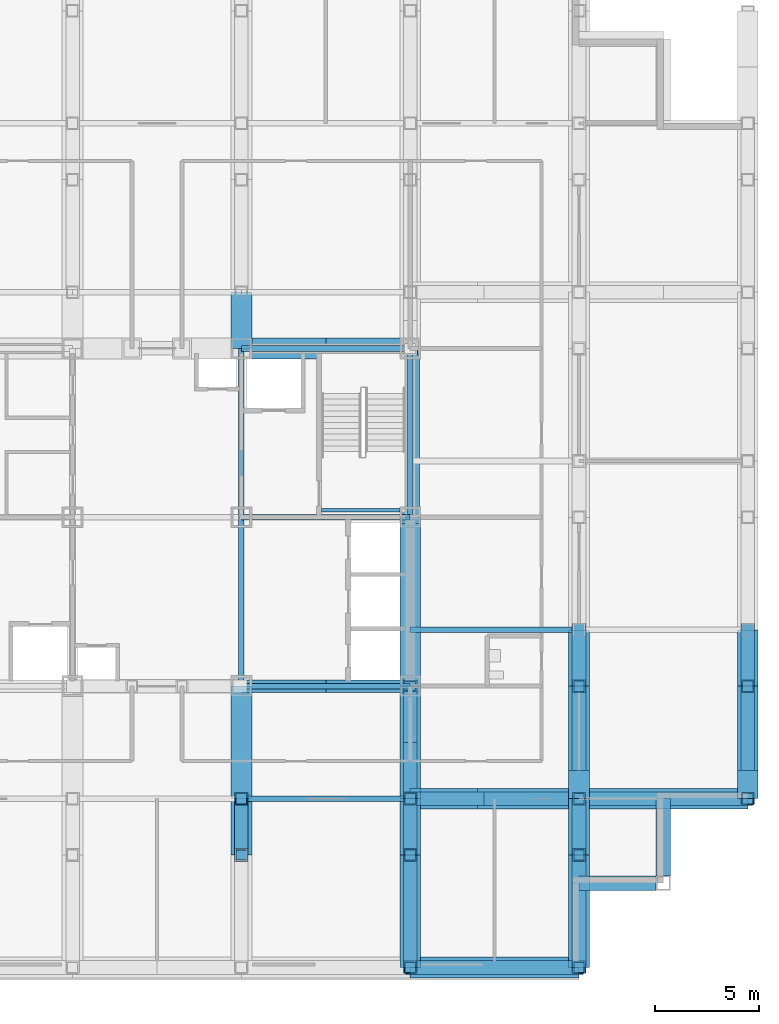
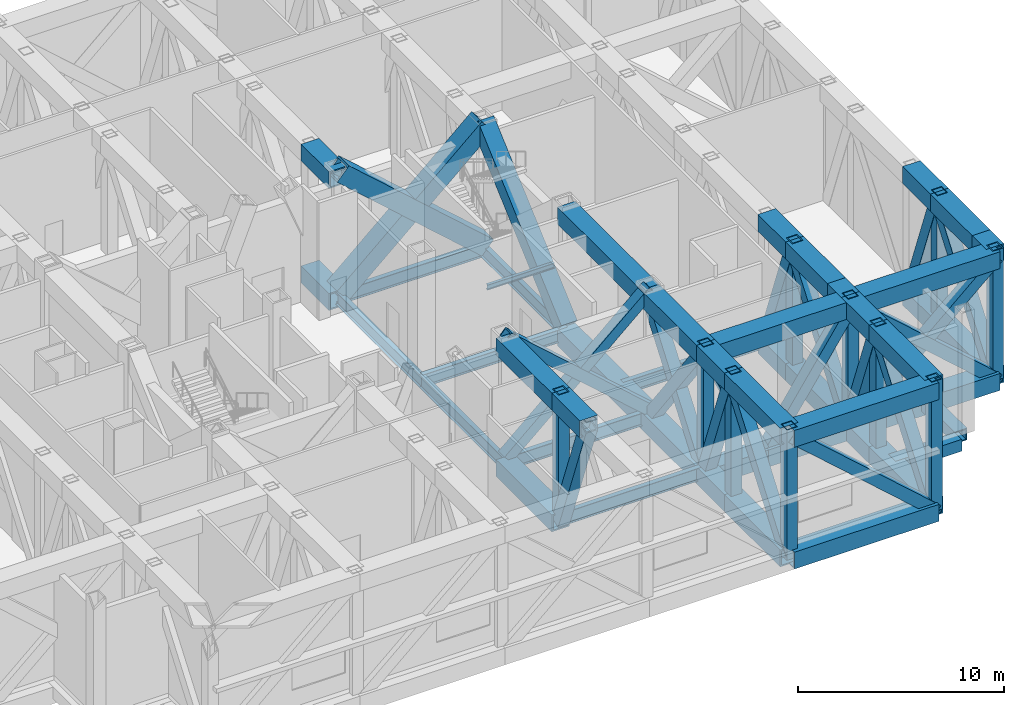
# One storey, part 3 of 13: 65 members, 11 beams.
"""IFC4 building model written with IfcOpenShell, lengths in metres."""

import ifcopenshell
import ifcopenshell.guid

model = None  # the IFC model being written
_history = None  # IfcOwnerHistory: only IFC2X3 demands one
_inside = {}  # id of a spatial element -> (the spatial element, [elements in it])
_under = {}  # id of a project, library or spatial element -> (it, [spatial elements below it])
_declared = {}  # id of a project -> (the project, [libraries it declares])
_typed = {}  # id of a type object -> (the type object, [elements of that type])
_made_of = {}  # id of a material, layer set ... -> (it, [elements and type objects made of it])


def new_model(schema):
    """Start an empty IFC model of exactly this schema.

    Asked for "IFC4X3", IfcOpenShell would pick the latest addendum, in which some entities
    have other attributes; the version numbers below select the first issue.
    IFC2X3 requires an IfcOwnerHistory on every rooted entity: one is made here for all.
    """
    global model, _history
    if schema == "IFC4X3":
        model = ifcopenshell.file(schema_version=(4, 3, 0, 0))
    else:
        model = ifcopenshell.file(schema=schema)
    _inside.clear()
    _under.clear()
    _declared.clear()
    _typed.clear()
    _made_of.clear()
    _history = None
    if model.schema == "IFC2X3":
        org = make("IfcOrganization", Name="unknown")
        user = make(
            "IfcPersonAndOrganization",
            ThePerson=make("IfcPerson", FamilyName="unknown"),
            TheOrganization=org,
        )
        app = make(
            "IfcApplication",
            ApplicationDeveloper=org,
            Version="unknown",
            ApplicationFullName="unknown",
            ApplicationIdentifier="unknown",
        )
        _history = make(
            "IfcOwnerHistory",
            OwningUser=user,
            OwningApplication=app,
            ChangeAction="ADDED",
            CreationDate=0,
        )
    return model


def make(cls, **values):
    """One entity of the class cls with the attributes given. An attribute that is None is left unset."""
    return model.create_entity(
        cls, **{name: value for name, value in values.items() if value is not None}
    )


def rooted(cls, **values):
    """An entity with a GlobalId (a new one), such as an element, a storey or a relation."""
    return make(cls, GlobalId=ifcopenshell.guid.new(), OwnerHistory=_history, **values)


def si_unit(unit_type, name, prefix=None):
    """IfcSIUnit, for example si_unit("LENGTHUNIT", "METRE", prefix="MILLI")."""
    return make("IfcSIUnit", UnitType=unit_type, Prefix=prefix, Name=name)


def assignment(units):
    """IfcUnitAssignment: the units of a project."""
    return None if units is None else make("IfcUnitAssignment", Units=units)


def point(xyz):
    """IfcCartesianPoint."""
    return None if xyz is None else make("IfcCartesianPoint", Coordinates=xyz)


def direction(xyz):
    """IfcDirection."""
    return None if xyz is None else make("IfcDirection", DirectionRatios=xyz)


def frame(location, z_axis=None, x_axis=None):
    """IfcAxis2Placement3D, a coordinate frame: its origin and axes. An axis left out is left unset."""
    return make(
        "IfcAxis2Placement3D",
        Location=point(location),
        Axis=direction(z_axis),
        RefDirection=direction(x_axis),
    )


def frame_2d(location, x_axis=None):
    """IfcAxis2Placement2D, a coordinate frame in the plane: its origin and x axis."""
    return make(
        "IfcAxis2Placement2D", Location=point(location), RefDirection=direction(x_axis)
    )


def origin():
    """The frame at (0, 0, 0) with its axes left unset."""
    return frame((0.0, 0.0, 0.0))


def origin_2d():
    """The frame at (0, 0) in the plane with its x axis left unset."""
    return frame_2d((0.0, 0.0))


def place(relative_to, where):
    """IfcLocalPlacement: puts the frame where relative to a parent placement (None: the world)."""
    return make(
        "IfcLocalPlacement", PlacementRelTo=relative_to, RelativePlacement=where
    )


def context(
    kind, dimensions, precision=None, world=None, true_north=None, identifier=None
):
    """IfcGeometricRepresentationContext, for example the 3D "Model" context."""
    return make(
        "IfcGeometricRepresentationContext",
        ContextIdentifier=identifier,
        ContextType=kind,
        CoordinateSpaceDimension=dimensions,
        Precision=precision,
        WorldCoordinateSystem=world,
        TrueNorth=true_north,
    )


def subcontext(parent, identifier, kind, view, scale=None):
    """IfcGeometricRepresentationSubContext, for example "Body" below "Model"."""
    return make(
        "IfcGeometricRepresentationSubContext",
        ContextIdentifier=identifier,
        ContextType=kind,
        ParentContext=parent,
        TargetScale=scale,
        TargetView=view,
    )


def project(units=None, contexts=None):
    """IfcProject with its units and contexts."""
    return rooted(
        "IfcProject",
        Name="project",
        RepresentationContexts=contexts,
        UnitsInContext=assignment(units),
    )


def spatial(cls, under=None, at=None, **own):
    """A site, building, storey or space (cls), placed at a placement, below another one or the project."""
    s = rooted(cls, ObjectPlacement=at, **own)
    if under is not None:
        _under.setdefault(under.id(), (under, []))[1].append(s)
    return s


def profile(cls, at=None, kind="AREA", **sizes):
    """A parametric profile (cls). Its sizes go by their IFC names, for example OverallWidth=200.0."""
    return make(cls, ProfileType=kind, Position=at, **sizes)


def hollow_rectangle(**sizes):
    """IfcRectangleHollowProfileDef."""
    return profile("IfcRectangleHollowProfileDef", **sizes)


def i_section(**sizes):
    """IfcIShapeProfileDef."""
    return profile("IfcIShapeProfileDef", **sizes)


def extrude(swept, where, along, depth):
    """IfcExtrudedAreaSolid: the profile swept, set in the frame where, extruded along a direction by depth."""
    return make(
        "IfcExtrudedAreaSolid",
        SweptArea=swept,
        Position=where,
        ExtrudedDirection=direction(along),
        Depth=depth,
    )


def shape(context_of_items, identifier, shape_type, items):
    """IfcShapeRepresentation: the items that make up one representation, for example the "Body"."""
    return make(
        "IfcShapeRepresentation",
        ContextOfItems=context_of_items,
        RepresentationIdentifier=identifier,
        RepresentationType=shape_type,
        Items=items,
    )


def material(Name=None, Category=None):
    """IfcMaterial."""
    return make("IfcMaterial", Name=Name, Category=Category)


def material_profile(
    of_material, cross_section, Name=None, Category=None, Priority=None
):
    """IfcMaterialProfile: a cross section and its material."""
    return make(
        "IfcMaterialProfile",
        Name=Name,
        Material=of_material,
        Profile=cross_section,
        Priority=Priority,
        Category=Category,
    )


def profile_set(profiles, Name=None, composite=None):
    """IfcMaterialProfileSet."""
    return make(
        "IfcMaterialProfileSet",
        Name=Name,
        MaterialProfiles=profiles,
        CompositeProfile=composite,
    )


def made_of(thing, what):
    """Note that an element or type object is made of a material, layer set ...; save() writes the relation."""
    if what is not None:
        _made_of.setdefault(what.id(), (what, []))[1].append(thing)
    return thing


def type_object(cls, material=None, **own):
    """A type object (cls), such as IfcWallType, which elements share."""
    return made_of(rooted(cls, **own), material)


def element(
    cls,
    number,
    at=None,
    inside=None,
    cuts=None,
    type_object=None,
    material=None,
    context=None,
    identifier="Body",
    shape_type=None,
    held_by="IfcProductDefinitionShape",
    body=None,
    shapes=None,
    **own,
):
    """One element of the class cls, such as IfcWall. Its Tag is "e" and its number.

    at: its placement. inside: the storey or other place that contains it. cuts: it is an
    opening in that element (IfcRelVoidsElement). A single representation is given by context,
    identifier, shape_type and body (its items); several are given by shapes. held_by: the class
    of the entity that holds the representations. save() writes the other relations.
    """
    e = rooted(cls, Tag="e%d" % number, ObjectPlacement=at, **own)
    if body is not None:
        shapes = [shape(context, identifier, shape_type, body)]
    if shapes is not None:
        e.Representation = make(held_by, Representations=shapes)
    if inside is not None:
        _inside.setdefault(inside.id(), (inside, []))[1].append(e)
    if cuts is not None:
        rooted(
            "IfcRelVoidsElement", RelatingBuildingElement=cuts, RelatedOpeningElement=e
        )
    if type_object is not None:
        _typed.setdefault(type_object.id(), (type_object, []))[1].append(e)
    return made_of(e, material)


def aggregate(whole, parts):
    """IfcRelAggregates: a whole, such as a stair, and the parts it consists of."""
    return rooted("IfcRelAggregates", RelatingObject=whole, RelatedObjects=parts)


def save(model, path):
    """Write the relations noted so far, then the file.

    IfcRelAggregates (storeys below a building ...), IfcRelContainedInSpatialStructure (elements
    in a storey), IfcRelDefinesByType, IfcRelAssociatesMaterial and IfcRelDeclares: one each for
    every whole, place, type object, material and project.
    """
    for whole, parts in _under.values():
        aggregate(whole, parts)
    for where, things in _inside.values():
        rooted(
            "IfcRelContainedInSpatialStructure",
            RelatedElements=things,
            RelatingStructure=where,
        )
    for kind, things in _typed.values():
        rooted("IfcRelDefinesByType", RelatedObjects=things, RelatingType=kind)
    for what, things in _made_of.values():
        rooted("IfcRelAssociatesMaterial", RelatedObjects=things, RelatingMaterial=what)
    for by, libraries in _declared.values():
        rooted("IfcRelDeclares", RelatingContext=by, RelatedDefinitions=libraries)
    model.write(path)


model = new_model("IFC4")

# Units and contexts
model_context = context("Model", 3, precision=1e-05, world=origin(), true_north=direction((0.0, 1.0)))
body_context = subcontext(model_context, "Body", "Model", "MODEL_VIEW")
ifc_project = project(units=[si_unit("LENGTHUNIT", "METRE"), si_unit("AREAUNIT", "SQUARE_METRE"), si_unit("VOLUMEUNIT", "CUBIC_METRE"), si_unit("PLANEANGLEUNIT", "RADIAN"), si_unit("MASSUNIT", "GRAM", prefix="KILO")], contexts=[model_context])

# Site, building, storey
site_placement = place(None, origin())
site = spatial("IfcSite", under=ifc_project, at=site_placement, CompositionType="ELEMENT")
building_placement = place(site_placement, origin())
building = spatial("IfcBuilding", under=site, at=building_placement, Name="Kopane Lantern Tower", CompositionType="ELEMENT")
storey_placement = place(building_placement, frame((0.0, 0.0, 235.199951171875)))
storey = spatial("IfcBuildingStorey", under=building, at=storey_placement, Name="L61", CompositionType="ELEMENT", Elevation=235.199951171875)

# Members
ifc_material_1 = material(Name="Steel S355JR", Category="steel")
ifc_material_profile_1 = material_profile(ifc_material_1, hollow_rectangle(XDim=1.0, YDim=1.0, WallThickness=0.10009765625, at=origin_2d()), Name="BOX 1000x1000x100")
ifc_profile_set_1 = profile_set([ifc_material_profile_1], Name="Steel S355JR")
member_type_1 = type_object("IfcMemberType", Name="BRACE BOX 1000x1000x100", PredefinedType="BRACE", material=ifc_profile_set_1)
for number, where, z_axis, x_axis, name in (
    (1, (32.39990234375, 40.5, -0.25), (0.747415533118, 0.0, 0.664356847525), (0.0, 1.0, 0.0), "Core brace L61"),
    (2, (40.5, 40.5, -0.25), (-0.747415533118, 0.0, 0.664356847525), (0.0, -1.0, 0.0), "Core brace L61"),
):
    element("IfcMember", number, at=place(storey_placement, frame(where, z_axis=z_axis, x_axis=x_axis)), inside=storey, type_object=member_type_1, Name=name, PredefinedType="BRACE", context=body_context, shape_type="SweptSolid", body=[
        extrude(hollow_rectangle(XDim=1.0, YDim=1.0, WallThickness=0.10009765625, at=origin_2d()), origin(), (0.0, 0.0, 1.0), 10.83740234375),
    ])
ifc_material_2 = material(Name="Steel S355JR", Category="steel")
ifc_material_profile_2 = material_profile(ifc_material_2, hollow_rectangle(XDim=0.60009765625, YDim=0.60009765625, WallThickness=0.06005859375, at=origin_2d()), Name="BOX 600x600x60")
ifc_profile_set_2 = profile_set([ifc_material_profile_2], Name="Steel S355JR")
member_type_2 = type_object("IfcMemberType", Name="BRACE BOX 600x600x60", PredefinedType="BRACE", material=ifc_profile_set_2)
for number, where, z_axis, x_axis, name in (
    (3, (32.39990234375, 24.300048828125, -0.25), (0.747415533118, 0.0, 0.664356847525), (0.0, 1.0, 0.0), "Core brace L61"),
    (4, (40.5, 24.300048828125, -0.25), (-0.747415533118, 0.0, 0.664356847525), (0.0, -1.0, 0.0), "Core brace L61"),
):
    element("IfcMember", number, at=place(storey_placement, frame(where, z_axis=z_axis, x_axis=x_axis)), inside=storey, type_object=member_type_2, Name=name, PredefinedType="BRACE", context=body_context, shape_type="SweptSolid", body=[
        extrude(hollow_rectangle(XDim=0.60009765625, YDim=0.60009765625, WallThickness=0.06005859375, at=origin_2d()), origin(), (0.0, 0.0, 1.0), 10.83740234375),
    ])
ifc_material_3 = material(Name="Steel S355JR", Category="steel")
ifc_material_profile_3 = material_profile(ifc_material_3, hollow_rectangle(XDim=0.89990234375, YDim=0.89990234375, WallThickness=0.090087890625, at=origin_2d()), Name="BOX 900x900x90")
ifc_profile_set_3 = profile_set([ifc_material_profile_3], Name="Steel S355JR")
member_type_3 = type_object("IfcMemberType", Name="BRACE BOX 900x900x90", PredefinedType="BRACE", material=ifc_profile_set_3)
member_1_placement = place(storey_placement, frame((40.5, 32.39990234375, -0.25), z_axis=(0.0, 0.747415533118, 0.664356847525), x_axis=(-1.0, 0.0, 0.0)))
element("IfcMember", 5, at=member_1_placement, inside=storey, type_object=member_type_3, Name="Core brace L61", PredefinedType="BRACE", context=body_context, shape_type="SweptSolid", body=[
    extrude(hollow_rectangle(XDim=0.89990234375, YDim=0.89990234375, WallThickness=0.090087890625, at=origin_2d()), origin(), (0.0, 0.0, 1.0), 10.83740234375),
])

# Beams
ifc_material_4 = material(Name="Steel S355JR", Category="steel")
ifc_material_profile_4 = material_profile(ifc_material_4, i_section(OverallWidth=0.2666015625, OverallDepth=0.76220703125, WebThickness=0.014404296875, FlangeThickness=0.021484375, FilletRadius=0.0166015625, at=origin_2d()), Name="UB 762x267x173")
ifc_profile_set_4 = profile_set([ifc_material_profile_4], Name="Steel S355JR")
beam_type_1 = type_object("IfcBeamType", Name="CORE BEAM UB 762x267x173", PredefinedType="BEAM", material=ifc_profile_set_4)
beam_1_placement = place(storey_placement, frame((32.39990234375, 24.300048828125, -0.631103515625), z_axis=(0.0, 1.0, 0.0), x_axis=(-1.0, 0.0, 0.0)))
element("IfcBeam", 6, at=beam_1_placement, inside=storey, type_object=beam_type_1, Name="Core Beam L61", PredefinedType="BEAM", context=body_context, shape_type="SweptSolid", body=[
    extrude(i_section(OverallWidth=0.2666015625, OverallDepth=0.76220703125, WebThickness=0.014404296875, FlangeThickness=0.021484375, FilletRadius=0.0166015625, at=origin_2d()), origin(), (0.0, 0.0, 1.0), 8.099853515625),
])
for number, where, z_axis, x_axis, name in (
    (7, (32.39990234375, 32.39990234375, -0.631103515625), (0.0, 1.0, 0.0), (-1.0, 0.0, 0.0), "Core Beam L61"),
    (8, (32.39990234375, 32.39990234375, -0.631103515625), (1.0, 0.0, 0.0), (0.0, 1.0, 0.0), "Core Beam L61"),
):
    element("IfcBeam", number, at=place(storey_placement, frame(where, z_axis=z_axis, x_axis=x_axis)), inside=storey, type_object=beam_type_1, Name=name, PredefinedType="BEAM", context=body_context, shape_type="SweptSolid", body=[
        extrude(i_section(OverallWidth=0.2666015625, OverallDepth=0.76220703125, WebThickness=0.014404296875, FlangeThickness=0.021484375, FilletRadius=0.0166015625, at=origin_2d()), origin(), (0.0, 0.0, 1.0), 8.10009765625),
    ])
ifc_material_5 = material(Name="Steel S355JR", Category="steel")
ifc_material_profile_5 = material_profile(ifc_material_5, hollow_rectangle(XDim=0.699951171875, YDim=0.699951171875, WallThickness=0.06005859375, at=origin_2d()), Name="BOX 700x700x60")
ifc_profile_set_5 = profile_set([ifc_material_profile_5], Name="Steel S355JR")
beam_type_2 = type_object("IfcBeamType", Name="EDGE BEAM BOX 700x700x60", PredefinedType="BEAM", material=ifc_profile_set_5)
for number, where, z_axis, x_axis, name in (
    (9, (52.300048828125, 14.85009765625, -0.599853515625), (-1.0, 0.0, 0.0), (0.0, -1.0, 0.0), "Edge Beam L61"),
    (10, (52.64990234375, 15.199951171875, -0.599853515625), (0.0, 1.0, 0.0), (-1.0, 0.0, 0.0), "Edge Beam L61"),
):
    element("IfcBeam", number, at=place(storey_placement, frame(where, z_axis=z_axis, x_axis=x_axis)), inside=storey, type_object=beam_type_2, Name=name, PredefinedType="BEAM", context=body_context, shape_type="SweptSolid", body=[
        extrude(hollow_rectangle(XDim=0.699951171875, YDim=0.699951171875, WallThickness=0.06005859375, at=origin_2d()), origin(), (0.0, 0.0, 1.0), 3.699951171875),
    ])
ifc_material_6 = material(Name="Steel S355JR", Category="steel")
ifc_material_profile_6 = material_profile(ifc_material_6, i_section(OverallWidth=0.2666015625, OverallDepth=0.76220703125, WebThickness=0.014404296875, FlangeThickness=0.021484375, FilletRadius=0.0166015625, at=origin_2d()), Name="UB 762x267x173")
ifc_profile_set_6 = profile_set([ifc_material_profile_6], Name="Steel S355JR")
beam_type_3 = type_object("IfcBeamType", Name="GIRDER UB 762x267x173", PredefinedType="BEAM", material=ifc_profile_set_6)
for number, where, z_axis, x_axis, name in (
    (11, (32.39990234375, 18.89990234375, -0.631103515625), (1.0, 0.0, 0.0), (0.0, 1.0, 0.0), "Girder L61"),
    (12, (32.39990234375, 24.300048828125, -0.631103515625), (1.0, 0.0, 0.0), (0.0, 1.0, 0.0), "Girder L61"),
    (13, (32.39990234375, 40.5, -0.631103515625), (1.0, 0.0, 0.0), (0.0, 1.0, 0.0), "Girder L61"),
    (14, (40.5, 27.0, -0.631103515625), (1.0, 0.0, 0.0), (0.0, 1.0, 0.0), "Girder L61"),
    (15, (40.5, 32.39990234375, -0.631103515625), (0.0, 1.0, 0.0), (-1.0, 0.0, 0.0), "Girder L61"),
):
    element("IfcBeam", number, at=place(storey_placement, frame(where, z_axis=z_axis, x_axis=x_axis)), inside=storey, type_object=beam_type_3, Name=name, PredefinedType="BEAM", context=body_context, shape_type="SweptSolid", body=[
        extrude(i_section(OverallWidth=0.2666015625, OverallDepth=0.76220703125, WebThickness=0.014404296875, FlangeThickness=0.021484375, FilletRadius=0.0166015625, at=origin_2d()), origin(), (0.0, 0.0, 1.0), 8.10009765625),
    ])
ifc_material_7 = material(Name="Steel S355JR", Category="steel")
ifc_material_profile_7 = material_profile(ifc_material_7, i_section(OverallWidth=0.1650390625, OverallDepth=0.303466796875, WebThickness=0.006103515625, FlangeThickness=0.01025390625, FilletRadius=0.0087890625, at=origin_2d()), Name="UB 305x165x40")
ifc_profile_set_7 = profile_set([ifc_material_profile_7], Name="Steel S355JR")
beam_type_4 = type_object("IfcBeamType", Name="STAIR LANDING BEAM UB 305x165x40", PredefinedType="BEAM", material=ifc_profile_set_7)
beam_2_placement = place(storey_placement, frame((40.0, 32.732421875, 3.33203125), z_axis=(-1.0, 0.0, 0.0), x_axis=(0.0, -1.0, 0.0)))
element("IfcBeam", 16, at=beam_2_placement, inside=storey, type_object=beam_type_4, Name="Stair landing beam ST2 L61", PredefinedType="BEAM", context=body_context, shape_type="SweptSolid", body=[
    extrude(i_section(OverallWidth=0.1650390625, OverallDepth=0.303466796875, WebThickness=0.006103515625, FlangeThickness=0.01025390625, FilletRadius=0.0087890625, at=origin_2d()), origin(), (0.0, 0.0, 1.0), 3.75),
])

# Members
ifc_material_8 = material(Name="Steel S355JR", Category="steel")
ifc_material_profile_8 = material_profile(ifc_material_8, hollow_rectangle(XDim=1.0, YDim=1.0, WallThickness=0.080078125, at=origin_2d()), Name="BOX 1000x1000x80")
ifc_profile_set_8 = profile_set([ifc_material_profile_8], Name="Steel S355JR")
member_type_4 = type_object("IfcMemberType", Name="TRUSS CHORD BOX 1000x1000x80", PredefinedType="CHORD", material=ifc_profile_set_8)
member_2_placement = place(storey_placement, frame((32.39990234375, 18.89990234375, -0.75), z_axis=(0.0, 1.0, 0.0), x_axis=(-1.0, 0.0, 0.0)))
element("IfcMember", 17, at=member_2_placement, inside=storey, type_object=member_type_4, Name="Transfer truss 6 L61 truss chord", PredefinedType="CHORD", context=body_context, shape_type="SweptSolid", body=[
    extrude(hollow_rectangle(XDim=1.0, YDim=1.0, WallThickness=0.080078125, at=origin_2d()), origin(), (0.0, 0.0, 1.0), 5.400146484375),
])
for number, where, z_axis, x_axis, name in (
    (18, (32.39990234375, 40.5, -0.75), (0.0, 1.0, 0.0), (-1.0, 0.0, 0.0), "Transfer truss 6 L61 truss chord"),
    (19, (32.39990234375, 16.199951171875, 6.449951171875), (0.0, 1.0, 0.0), (-1.0, 0.0, 0.0), "Transfer truss 6 L61 truss chord"),
):
    element("IfcMember", number, at=place(storey_placement, frame(where, z_axis=z_axis, x_axis=x_axis)), inside=storey, type_object=member_type_4, Name=name, PredefinedType="CHORD", context=body_context, shape_type="SweptSolid", body=[
        extrude(hollow_rectangle(XDim=1.0, YDim=1.0, WallThickness=0.080078125, at=origin_2d()), origin(), (0.0, 0.0, 1.0), 2.699951171875),
    ])
member_3_placement = place(storey_placement, frame((32.39990234375, 18.89990234375, 6.449951171875), z_axis=(0.0, 1.0, 0.0), x_axis=(-1.0, 0.0, 0.0)))
element("IfcMember", 20, at=member_3_placement, inside=storey, type_object=member_type_4, Name="Transfer truss 6 L61 truss chord", PredefinedType="CHORD", context=body_context, shape_type="SweptSolid", body=[
    extrude(hollow_rectangle(XDim=1.0, YDim=1.0, WallThickness=0.080078125, at=origin_2d()), origin(), (0.0, 0.0, 1.0), 5.400146484375),
])
member_4_placement = place(storey_placement, frame((32.39990234375, 40.5, 6.449951171875), z_axis=(0.0, 1.0, 0.0), x_axis=(-1.0, 0.0, 0.0)))
element("IfcMember", 21, at=member_4_placement, inside=storey, type_object=member_type_4, Name="Transfer truss 6 L61 truss chord", PredefinedType="CHORD", context=body_context, shape_type="SweptSolid", body=[
    extrude(hollow_rectangle(XDim=1.0, YDim=1.0, WallThickness=0.080078125, at=origin_2d()), origin(), (0.0, 0.0, 1.0), 2.699951171875),
])
member_5_placement = place(storey_placement, frame((40.5, 10.800048828125, -0.75), z_axis=(0.0, 1.0, 0.0), x_axis=(-1.0, 0.0, 0.0)))
element("IfcMember", 22, at=member_5_placement, inside=storey, type_object=member_type_4, Name="Transfer truss 7 L61 truss chord", PredefinedType="CHORD", context=body_context, shape_type="SweptSolid", body=[
    extrude(hollow_rectangle(XDim=1.0, YDim=1.0, WallThickness=0.080078125, at=origin_2d()), origin(), (0.0, 0.0, 1.0), 5.39990234375),
])
member_6_placement = place(storey_placement, frame((40.5, 16.199951171875, -0.75), z_axis=(0.0, 1.0, 0.0), x_axis=(-1.0, 0.0, 0.0)))
element("IfcMember", 23, at=member_6_placement, inside=storey, type_object=member_type_4, Name="Transfer truss 7 L61 truss chord", PredefinedType="CHORD", context=body_context, shape_type="SweptSolid", body=[
    extrude(hollow_rectangle(XDim=1.0, YDim=1.0, WallThickness=0.080078125, at=origin_2d()), origin(), (0.0, 0.0, 1.0), 2.699951171875),
])
member_7_placement = place(storey_placement, frame((40.5, 18.89990234375, -0.75), z_axis=(0.0, 1.0, 0.0), x_axis=(-1.0, 0.0, 0.0)))
element("IfcMember", 24, at=member_7_placement, inside=storey, type_object=member_type_4, Name="Transfer truss 7 L61 truss chord", PredefinedType="CHORD", context=body_context, shape_type="SweptSolid", body=[
    extrude(hollow_rectangle(XDim=1.0, YDim=1.0, WallThickness=0.080078125, at=origin_2d()), origin(), (0.0, 0.0, 1.0), 5.400146484375),
])
member_8_placement = place(storey_placement, frame((40.5, 24.300048828125, -0.75), z_axis=(0.0, 1.0, 0.0), x_axis=(-1.0, 0.0, 0.0)))
element("IfcMember", 25, at=member_8_placement, inside=storey, type_object=member_type_4, Name="Transfer truss 7 L61 truss chord", PredefinedType="CHORD", context=body_context, shape_type="SweptSolid", body=[
    extrude(hollow_rectangle(XDim=1.0, YDim=1.0, WallThickness=0.080078125, at=origin_2d()), origin(), (0.0, 0.0, 1.0), 8.099853515625),
])
member_9_placement = place(storey_placement, frame((40.5, 10.800048828125, 6.449951171875), z_axis=(0.0, 1.0, 0.0), x_axis=(-1.0, 0.0, 0.0)))
element("IfcMember", 26, at=member_9_placement, inside=storey, type_object=member_type_4, Name="Transfer truss 7 L61 truss chord", PredefinedType="CHORD", context=body_context, shape_type="SweptSolid", body=[
    extrude(hollow_rectangle(XDim=1.0, YDim=1.0, WallThickness=0.080078125, at=origin_2d()), origin(), (0.0, 0.0, 1.0), 5.39990234375),
])
member_10_placement = place(storey_placement, frame((40.5, 16.199951171875, 6.449951171875), z_axis=(0.0, 1.0, 0.0), x_axis=(-1.0, 0.0, 0.0)))
element("IfcMember", 27, at=member_10_placement, inside=storey, type_object=member_type_4, Name="Transfer truss 7 L61 truss chord", PredefinedType="CHORD", context=body_context, shape_type="SweptSolid", body=[
    extrude(hollow_rectangle(XDim=1.0, YDim=1.0, WallThickness=0.080078125, at=origin_2d()), origin(), (0.0, 0.0, 1.0), 2.699951171875),
])
member_11_placement = place(storey_placement, frame((40.5, 18.89990234375, 6.449951171875), z_axis=(0.0, 1.0, 0.0), x_axis=(-1.0, 0.0, 0.0)))
element("IfcMember", 28, at=member_11_placement, inside=storey, type_object=member_type_4, Name="Transfer truss 7 L61 truss chord", PredefinedType="CHORD", context=body_context, shape_type="SweptSolid", body=[
    extrude(hollow_rectangle(XDim=1.0, YDim=1.0, WallThickness=0.080078125, at=origin_2d()), origin(), (0.0, 0.0, 1.0), 5.400146484375),
])
member_12_placement = place(storey_placement, frame((40.5, 24.300048828125, 6.449951171875), z_axis=(0.0, 1.0, 0.0), x_axis=(-1.0, 0.0, 0.0)))
element("IfcMember", 29, at=member_12_placement, inside=storey, type_object=member_type_4, Name="Transfer truss 7 L61 truss chord", PredefinedType="CHORD", context=body_context, shape_type="SweptSolid", body=[
    extrude(hollow_rectangle(XDim=1.0, YDim=1.0, WallThickness=0.080078125, at=origin_2d()), origin(), (0.0, 0.0, 1.0), 8.099853515625),
])
member_13_placement = place(storey_placement, frame((48.60009765625, 10.800048828125, -0.75), z_axis=(0.0, 1.0, 0.0), x_axis=(-1.0, 0.0, 0.0)))
element("IfcMember", 30, at=member_13_placement, inside=storey, type_object=member_type_4, Name="Transfer truss 8 L61 truss chord", PredefinedType="CHORD", context=body_context, shape_type="SweptSolid", body=[
    extrude(hollow_rectangle(XDim=1.0, YDim=1.0, WallThickness=0.080078125, at=origin_2d()), origin(), (0.0, 0.0, 1.0), 5.39990234375),
])
member_14_placement = place(storey_placement, frame((48.60009765625, 16.199951171875, -0.75), z_axis=(0.0, 1.0, 0.0), x_axis=(-1.0, 0.0, 0.0)))
element("IfcMember", 31, at=member_14_placement, inside=storey, type_object=member_type_4, Name="Transfer truss 8 L61 truss chord", PredefinedType="CHORD", context=body_context, shape_type="SweptSolid", body=[
    extrude(hollow_rectangle(XDim=1.0, YDim=1.0, WallThickness=0.080078125, at=origin_2d()), origin(), (0.0, 0.0, 1.0), 2.699951171875),
])
member_15_placement = place(storey_placement, frame((48.60009765625, 18.89990234375, -0.75), z_axis=(0.0, 1.0, 0.0), x_axis=(-1.0, 0.0, 0.0)))
element("IfcMember", 32, at=member_15_placement, inside=storey, type_object=member_type_4, Name="Transfer truss 8 L61 truss chord", PredefinedType="CHORD", context=body_context, shape_type="SweptSolid", body=[
    extrude(hollow_rectangle(XDim=1.0, YDim=1.0, WallThickness=0.080078125, at=origin_2d()), origin(), (0.0, 0.0, 1.0), 5.400146484375),
])
member_16_placement = place(storey_placement, frame((48.60009765625, 24.300048828125, -0.75), z_axis=(0.0, 1.0, 0.0), x_axis=(-1.0, 0.0, 0.0)))
element("IfcMember", 33, at=member_16_placement, inside=storey, type_object=member_type_4, Name="Transfer truss 8 L61 truss chord", PredefinedType="CHORD", context=body_context, shape_type="SweptSolid", body=[
    extrude(hollow_rectangle(XDim=1.0, YDim=1.0, WallThickness=0.080078125, at=origin_2d()), origin(), (0.0, 0.0, 1.0), 2.699951171875),
])
member_17_placement = place(storey_placement, frame((48.60009765625, 10.800048828125, 6.449951171875), z_axis=(0.0, 1.0, 0.0), x_axis=(-1.0, 0.0, 0.0)))
element("IfcMember", 34, at=member_17_placement, inside=storey, type_object=member_type_4, Name="Transfer truss 8 L61 truss chord", PredefinedType="CHORD", context=body_context, shape_type="SweptSolid", body=[
    extrude(hollow_rectangle(XDim=1.0, YDim=1.0, WallThickness=0.080078125, at=origin_2d()), origin(), (0.0, 0.0, 1.0), 5.39990234375),
])
member_18_placement = place(storey_placement, frame((48.60009765625, 16.199951171875, 6.449951171875), z_axis=(0.0, 1.0, 0.0), x_axis=(-1.0, 0.0, 0.0)))
element("IfcMember", 35, at=member_18_placement, inside=storey, type_object=member_type_4, Name="Transfer truss 8 L61 truss chord", PredefinedType="CHORD", context=body_context, shape_type="SweptSolid", body=[
    extrude(hollow_rectangle(XDim=1.0, YDim=1.0, WallThickness=0.080078125, at=origin_2d()), origin(), (0.0, 0.0, 1.0), 2.699951171875),
])
member_19_placement = place(storey_placement, frame((48.60009765625, 18.89990234375, 6.449951171875), z_axis=(0.0, 1.0, 0.0), x_axis=(-1.0, 0.0, 0.0)))
element("IfcMember", 36, at=member_19_placement, inside=storey, type_object=member_type_4, Name="Transfer truss 8 L61 truss chord", PredefinedType="CHORD", context=body_context, shape_type="SweptSolid", body=[
    extrude(hollow_rectangle(XDim=1.0, YDim=1.0, WallThickness=0.080078125, at=origin_2d()), origin(), (0.0, 0.0, 1.0), 1.35009765625),
])
member_20_placement = place(storey_placement, frame((48.60009765625, 20.25, 6.449951171875), z_axis=(0.0, 1.0, 0.0), x_axis=(-1.0, 0.0, 0.0)))
element("IfcMember", 37, at=member_20_placement, inside=storey, type_object=member_type_4, Name="Transfer truss 8 L61 truss chord", PredefinedType="CHORD", context=body_context, shape_type="SweptSolid", body=[
    extrude(hollow_rectangle(XDim=1.0, YDim=1.0, WallThickness=0.080078125, at=origin_2d()), origin(), (0.0, 0.0, 1.0), 4.050048828125),
])
member_21_placement = place(storey_placement, frame((48.60009765625, 24.300048828125, 6.449951171875), z_axis=(0.0, 1.0, 0.0), x_axis=(-1.0, 0.0, 0.0)))
element("IfcMember", 38, at=member_21_placement, inside=storey, type_object=member_type_4, Name="Transfer truss 8 L61 truss chord", PredefinedType="CHORD", context=body_context, shape_type="SweptSolid", body=[
    extrude(hollow_rectangle(XDim=1.0, YDim=1.0, WallThickness=0.080078125, at=origin_2d()), origin(), (0.0, 0.0, 1.0), 2.699951171875),
])
member_22_placement = place(storey_placement, frame((56.699951171875, 18.89990234375, -0.75), z_axis=(0.0, 1.0, 0.0), x_axis=(-1.0, 0.0, 0.0)))
element("IfcMember", 39, at=member_22_placement, inside=storey, type_object=member_type_4, Name="Transfer truss 9 L61 truss chord", PredefinedType="CHORD", context=body_context, shape_type="SweptSolid", body=[
    extrude(hollow_rectangle(XDim=1.0, YDim=1.0, WallThickness=0.080078125, at=origin_2d()), origin(), (0.0, 0.0, 1.0), 5.400146484375),
])
member_23_placement = place(storey_placement, frame((56.699951171875, 24.300048828125, -0.75), z_axis=(0.0, 1.0, 0.0), x_axis=(-1.0, 0.0, 0.0)))
element("IfcMember", 40, at=member_23_placement, inside=storey, type_object=member_type_4, Name="Transfer truss 9 L61 truss chord", PredefinedType="CHORD", context=body_context, shape_type="SweptSolid", body=[
    extrude(hollow_rectangle(XDim=1.0, YDim=1.0, WallThickness=0.080078125, at=origin_2d()), origin(), (0.0, 0.0, 1.0), 2.699951171875),
])
member_24_placement = place(storey_placement, frame((56.699951171875, 18.89990234375, 6.449951171875), z_axis=(0.0, 1.0, 0.0), x_axis=(-1.0, 0.0, 0.0)))
element("IfcMember", 41, at=member_24_placement, inside=storey, type_object=member_type_4, Name="Transfer truss 9 L61 truss chord", PredefinedType="CHORD", context=body_context, shape_type="SweptSolid", body=[
    extrude(hollow_rectangle(XDim=1.0, YDim=1.0, WallThickness=0.080078125, at=origin_2d()), origin(), (0.0, 0.0, 1.0), 1.35009765625),
])
member_25_placement = place(storey_placement, frame((56.699951171875, 20.25, 6.449951171875), z_axis=(0.0, 1.0, 0.0), x_axis=(-1.0, 0.0, 0.0)))
element("IfcMember", 42, at=member_25_placement, inside=storey, type_object=member_type_4, Name="Transfer truss 9 L61 truss chord", PredefinedType="CHORD", context=body_context, shape_type="SweptSolid", body=[
    extrude(hollow_rectangle(XDim=1.0, YDim=1.0, WallThickness=0.080078125, at=origin_2d()), origin(), (0.0, 0.0, 1.0), 4.050048828125),
])
member_26_placement = place(storey_placement, frame((56.699951171875, 24.300048828125, 6.449951171875), z_axis=(0.0, 1.0, 0.0), x_axis=(-1.0, 0.0, 0.0)))
element("IfcMember", 43, at=member_26_placement, inside=storey, type_object=member_type_4, Name="Transfer truss 9 L61 truss chord", PredefinedType="CHORD", context=body_context, shape_type="SweptSolid", body=[
    extrude(hollow_rectangle(XDim=1.0, YDim=1.0, WallThickness=0.080078125, at=origin_2d()), origin(), (0.0, 0.0, 1.0), 2.699951171875),
])
for number, where, z_axis, x_axis, name in (
    (44, (40.5, 10.800048828125, -0.75), (1.0, 0.0, 0.0), (0.0, 1.0, 0.0), "Belt truss S L61 truss chord"),
    (45, (40.5, 10.800048828125, 6.449951171875), (1.0, 0.0, 0.0), (0.0, 1.0, 0.0), "Belt truss S L61 truss chord"),
):
    element("IfcMember", number, at=place(storey_placement, frame(where, z_axis=z_axis, x_axis=x_axis)), inside=storey, type_object=member_type_4, Name=name, PredefinedType="CHORD", context=body_context, shape_type="SweptSolid", body=[
        extrude(hollow_rectangle(XDim=1.0, YDim=1.0, WallThickness=0.080078125, at=origin_2d()), origin(), (0.0, 0.0, 1.0), 8.10009765625),
    ])
for number, where, z_axis, x_axis, name in (
    (46, (56.699951171875, 18.89990234375, -0.75), (-1.0, 0.0, 0.0), (0.0, -1.0, 0.0), "Outrigger truss E18.9 L61 truss chord"),
    (47, (56.699951171875, 18.89990234375, 6.449951171875), (-1.0, 0.0, 0.0), (0.0, -1.0, 0.0), "Outrigger truss E18.9 L61 truss chord"),
):
    element("IfcMember", number, at=place(storey_placement, frame(where, z_axis=z_axis, x_axis=x_axis)), inside=storey, type_object=member_type_4, Name=name, PredefinedType="CHORD", context=body_context, shape_type="SweptSolid", body=[
        extrude(hollow_rectangle(XDim=1.0, YDim=1.0, WallThickness=0.080078125, at=origin_2d()), origin(), (0.0, 0.0, 1.0), 8.099853515625),
    ])
member_27_placement = place(storey_placement, frame((48.60009765625, 18.89990234375, -0.75), z_axis=(-1.0, 0.0, 0.0), x_axis=(0.0, -1.0, 0.0)))
element("IfcMember", 48, at=member_27_placement, inside=storey, type_object=member_type_4, Name="Outrigger truss E18.9 L61 truss chord", PredefinedType="CHORD", context=body_context, shape_type="SweptSolid", body=[
    extrude(hollow_rectangle(XDim=1.0, YDim=1.0, WallThickness=0.080078125, at=origin_2d()), origin(), (0.0, 0.0, 1.0), 4.860107421875),
])
member_28_placement = place(storey_placement, frame((43.739990234375, 18.89990234375, -0.75), z_axis=(-1.0, 0.0, 0.0), x_axis=(0.0, -1.0, 0.0)))
element("IfcMember", 49, at=member_28_placement, inside=storey, type_object=member_type_4, Name="Outrigger truss E18.9 L61 truss chord", PredefinedType="CHORD", context=body_context, shape_type="SweptSolid", body=[
    extrude(hollow_rectangle(XDim=1.0, YDim=1.0, WallThickness=0.080078125, at=origin_2d()), origin(), (0.0, 0.0, 1.0), 3.239990234375),
])
member_29_placement = place(storey_placement, frame((48.60009765625, 18.89990234375, 6.449951171875), z_axis=(-1.0, 0.0, 0.0), x_axis=(0.0, -1.0, 0.0)))
element("IfcMember", 50, at=member_29_placement, inside=storey, type_object=member_type_4, Name="Outrigger truss E18.9 L61 truss chord", PredefinedType="CHORD", context=body_context, shape_type="SweptSolid", body=[
    extrude(hollow_rectangle(XDim=1.0, YDim=1.0, WallThickness=0.080078125, at=origin_2d()), origin(), (0.0, 0.0, 1.0), 8.10009765625),
])
ifc_material_9 = material(Name="Steel S355JR", Category="steel")
ifc_material_profile_9 = material_profile(ifc_material_9, hollow_rectangle(XDim=0.64990234375, YDim=0.64990234375, WallThickness=0.06005859375, at=origin_2d()), Name="BOX 650x650x60")
ifc_profile_set_9 = profile_set([ifc_material_profile_9], Name="Steel S355JR")
member_type_5 = type_object("IfcMemberType", Name="TRUSS DIAGONAL BOX 650x650x60", PredefinedType="BRACE", material=ifc_profile_set_9)
member_30_placement = place(storey_placement, frame((32.39990234375, 18.89990234375, -0.75), z_axis=(0.0, -0.351119962166, 0.936330482345), x_axis=(1.0, 0.0, 0.0)))
element("IfcMember", 51, at=member_30_placement, inside=storey, type_object=member_type_5, Name="Transfer truss 6 L61 truss diagonal", PredefinedType="BRACE", context=body_context, shape_type="SweptSolid", body=[
    extrude(hollow_rectangle(XDim=0.64990234375, YDim=0.64990234375, WallThickness=0.06005859375, at=origin_2d()), origin(), (0.0, 0.0, 1.0), 7.689453125),
])
member_31_placement = place(storey_placement, frame((40.5, 10.800048828125, -0.75), z_axis=(0.0, 0.599995659666, 0.800003255232), x_axis=(-1.0, 0.0, 0.0)))
element("IfcMember", 52, at=member_31_placement, inside=storey, type_object=member_type_5, Name="Transfer truss 7 L61 truss diagonal", PredefinedType="BRACE", context=body_context, shape_type="SweptSolid", body=[
    extrude(hollow_rectangle(XDim=0.64990234375, YDim=0.64990234375, WallThickness=0.06005859375, at=origin_2d()), origin(), (0.0, 0.0, 1.0), 9.0),
])
member_32_placement = place(storey_placement, frame((40.5, 18.89990234375, -0.75), z_axis=(0.0, -0.351119962166, 0.936330482345), x_axis=(1.0, 0.0, 0.0)))
element("IfcMember", 53, at=member_32_placement, inside=storey, type_object=member_type_5, Name="Transfer truss 7 L61 truss diagonal", PredefinedType="BRACE", context=body_context, shape_type="SweptSolid", body=[
    extrude(hollow_rectangle(XDim=0.64990234375, YDim=0.64990234375, WallThickness=0.06005859375, at=origin_2d()), origin(), (0.0, 0.0, 1.0), 7.689453125),
])
member_33_placement = place(storey_placement, frame((48.60009765625, 10.800048828125, -0.75), z_axis=(0.0, 0.599995659666, 0.800003255232), x_axis=(-1.0, 0.0, 0.0)))
element("IfcMember", 54, at=member_33_placement, inside=storey, type_object=member_type_5, Name="Transfer truss 8 L61 truss diagonal", PredefinedType="BRACE", context=body_context, shape_type="SweptSolid", body=[
    extrude(hollow_rectangle(XDim=0.64990234375, YDim=0.64990234375, WallThickness=0.06005859375, at=origin_2d()), origin(), (0.0, 0.0, 1.0), 9.0),
])
member_34_placement = place(storey_placement, frame((48.60009765625, 18.89990234375, -0.75), z_axis=(0.0, -0.351119962166, 0.936330482345), x_axis=(1.0, 0.0, 0.0)))
element("IfcMember", 55, at=member_34_placement, inside=storey, type_object=member_type_5, Name="Transfer truss 8 L61 truss diagonal", PredefinedType="BRACE", context=body_context, shape_type="SweptSolid", body=[
    extrude(hollow_rectangle(XDim=0.64990234375, YDim=0.64990234375, WallThickness=0.06005859375, at=origin_2d()), origin(), (0.0, 0.0, 1.0), 7.689453125),
])
member_35_placement = place(storey_placement, frame((48.60009765625, 18.89990234375, -0.75), z_axis=(0.0, 0.600013020683, 0.799990234322), x_axis=(-1.0, 0.0, 0.0)))
element("IfcMember", 56, at=member_35_placement, inside=storey, type_object=member_type_5, Name="Transfer truss 8 L61 truss diagonal", PredefinedType="BRACE", context=body_context, shape_type="SweptSolid", body=[
    extrude(hollow_rectangle(XDim=0.64990234375, YDim=0.64990234375, WallThickness=0.06005859375, at=origin_2d()), origin(), (0.0, 0.0, 1.0), 9.0),
])
member_36_placement = place(storey_placement, frame((48.60009765625, 27.0, -0.75), z_axis=(0.0, -0.351119962166, 0.936330482345), x_axis=(1.0, 0.0, 0.0)))
element("IfcMember", 57, at=member_36_placement, inside=storey, type_object=member_type_5, Name="Transfer truss 8 L61 truss diagonal", PredefinedType="BRACE", context=body_context, shape_type="SweptSolid", body=[
    extrude(hollow_rectangle(XDim=0.64990234375, YDim=0.64990234375, WallThickness=0.06005859375, at=origin_2d()), origin(), (0.0, 0.0, 1.0), 7.689453125),
])
member_37_placement = place(storey_placement, frame((56.699951171875, 18.89990234375, -0.75), z_axis=(0.0, 0.600013020683, 0.799990234322), x_axis=(-1.0, 0.0, 0.0)))
element("IfcMember", 58, at=member_37_placement, inside=storey, type_object=member_type_5, Name="Transfer truss 9 L61 truss diagonal", PredefinedType="BRACE", context=body_context, shape_type="SweptSolid", body=[
    extrude(hollow_rectangle(XDim=0.64990234375, YDim=0.64990234375, WallThickness=0.06005859375, at=origin_2d()), origin(), (0.0, 0.0, 1.0), 9.0),
])
member_38_placement = place(storey_placement, frame((56.699951171875, 27.0, -0.75), z_axis=(0.0, -0.351119962166, 0.936330482345), x_axis=(1.0, 0.0, 0.0)))
element("IfcMember", 59, at=member_38_placement, inside=storey, type_object=member_type_5, Name="Transfer truss 9 L61 truss diagonal", PredefinedType="BRACE", context=body_context, shape_type="SweptSolid", body=[
    extrude(hollow_rectangle(XDim=0.64990234375, YDim=0.64990234375, WallThickness=0.06005859375, at=origin_2d()), origin(), (0.0, 0.0, 1.0), 7.689453125),
])
for number, where, z_axis, x_axis, name in (
    (60, (48.60009765625, 10.800048828125, -0.75), (-0.747415533118, 0.0, 0.664356847525), (0.0, -1.0, 0.0), "Belt truss S L61 truss diagonal"),
    (61, (56.699951171875, 18.89990234375, -0.75), (-0.747405589929, 0.0, 0.664368033655), (0.0, -1.0, 0.0), "Outrigger truss E18.9 L61 truss diagonal"),
    (62, (48.60009765625, 18.89990234375, -0.75), (0.747405589929, 0.0, 0.664368033655), (0.0, 1.0, 0.0), "Outrigger truss E18.9 L61 truss diagonal"),
):
    element("IfcMember", number, at=place(storey_placement, frame(where, z_axis=z_axis, x_axis=x_axis)), inside=storey, type_object=member_type_5, Name=name, PredefinedType="BRACE", context=body_context, shape_type="SweptSolid", body=[
        extrude(hollow_rectangle(XDim=0.64990234375, YDim=0.64990234375, WallThickness=0.06005859375, at=origin_2d()), origin(), (0.0, 0.0, 1.0), 10.83740234375),
    ])
member_39_placement = place(storey_placement, frame((48.60009765625, 18.89990234375, 6.449951171875), z_axis=(-0.559483956924, 0.0, -0.82884118017), x_axis=(0.0, -1.0, 0.0)))
element("IfcMember", 63, at=member_39_placement, inside=storey, type_object=member_type_5, Name="Outrigger truss E18.9 L61 truss diagonal", PredefinedType="BRACE", context=body_context, shape_type="SweptSolid", body=[
    extrude(hollow_rectangle(XDim=0.64990234375, YDim=0.64990234375, WallThickness=0.06005859375, at=origin_2d()), origin(), (0.0, 0.0, 1.0), 8.686767578125),
])
member_40_placement = place(storey_placement, frame((40.5, 18.89990234375, 6.449951171875), z_axis=(0.410365963067, 0.0, -0.911920926592), x_axis=(0.0, 1.0, 0.0)))
element("IfcMember", 64, at=member_40_placement, inside=storey, type_object=member_type_5, Name="Outrigger truss E18.9 L61 truss diagonal", PredefinedType="BRACE", context=body_context, shape_type="SweptSolid", body=[
    extrude(hollow_rectangle(XDim=0.64990234375, YDim=0.64990234375, WallThickness=0.06005859375, at=origin_2d()), origin(), (0.0, 0.0, 1.0), 7.895263671875),
])
for number, where, z_axis, x_axis, name in (
    (65, (40.5, 18.89990234375, -0.75), (0.0, 0.600013020683, 0.799990234322), (-1.0, 0.0, 0.0), "Outrigger truss E18.9 L61 truss diagonal"),
    (66, (40.5, 24.300048828125, -0.75), (0.0, -0.600013020683, 0.799990234322), (1.0, 0.0, 0.0), "Outrigger truss E18.9 L61 truss diagonal"),
):
    element("IfcMember", number, at=place(storey_placement, frame(where, z_axis=z_axis, x_axis=x_axis)), inside=storey, type_object=member_type_5, Name=name, PredefinedType="BRACE", context=body_context, shape_type="SweptSolid", body=[
        extrude(hollow_rectangle(XDim=0.64990234375, YDim=0.64990234375, WallThickness=0.06005859375, at=origin_2d()), origin(), (0.0, 0.0, 1.0), 9.0),
    ])
ifc_material_10 = material(Name="Steel S355JR", Category="steel")
ifc_material_profile_10 = material_profile(ifc_material_10, hollow_rectangle(XDim=0.60009765625, YDim=0.60009765625, WallThickness=0.050048828125, at=origin_2d()), Name="BOX 600x600x50")
ifc_profile_set_10 = profile_set([ifc_material_profile_10], Name="Steel S355JR")
member_type_6 = type_object("IfcMemberType", Name="TRUSS POST BOX 600x600x50", PredefinedType="POST", material=ifc_profile_set_10)
for number, where, z_axis, x_axis, name in (
    (67, (32.39990234375, 18.89990234375, -0.75), (0.0, 0.0, 1.0), (1.0, 0.0, 0.0), "Transfer truss 6 L61 truss post"),
    (68, (40.5, 10.800048828125, -0.75), (0.0, 0.0, 1.0), (1.0, 0.0, 0.0), "Transfer truss 7 L61 truss post"),
    (69, (40.5, 16.199951171875, -0.75), (0.0, 0.0, 1.0), (1.0, 0.0, 0.0), "Transfer truss 7 L61 truss post"),
    (70, (40.5, 18.89990234375, -0.75), (0.0, 0.0, 1.0), (1.0, 0.0, 0.0), "Transfer truss 7 L61 truss post"),
    (71, (48.60009765625, 10.800048828125, -0.75), (0.0, 0.0, 1.0), (1.0, 0.0, 0.0), "Transfer truss 8 L61 truss post"),
    (72, (48.60009765625, 16.199951171875, -0.75), (0.0, 0.0, 1.0), (1.0, 0.0, 0.0), "Transfer truss 8 L61 truss post"),
    (73, (48.60009765625, 18.89990234375, -0.75), (0.0, 0.0, 1.0), (1.0, 0.0, 0.0), "Transfer truss 8 L61 truss post"),
    (74, (48.60009765625, 24.300048828125, -0.75), (0.0, 0.0, 1.0), (1.0, 0.0, 0.0), "Transfer truss 8 L61 truss post"),
    (75, (56.699951171875, 18.89990234375, -0.75), (0.0, 0.0, 1.0), (1.0, 0.0, 0.0), "Transfer truss 9 L61 truss post"),
    (76, (56.699951171875, 24.300048828125, -0.75), (0.0, 0.0, 1.0), (1.0, 0.0, 0.0), "Transfer truss 9 L61 truss post"),
):
    element("IfcMember", number, at=place(storey_placement, frame(where, z_axis=z_axis, x_axis=x_axis)), inside=storey, type_object=member_type_6, Name=name, PredefinedType="POST", context=body_context, shape_type="SweptSolid", body=[
        extrude(hollow_rectangle(XDim=0.60009765625, YDim=0.60009765625, WallThickness=0.050048828125, at=origin_2d()), origin(), (0.0, 0.0, 1.0), 7.699951171875),
    ])

save(model, "model.ifc")
